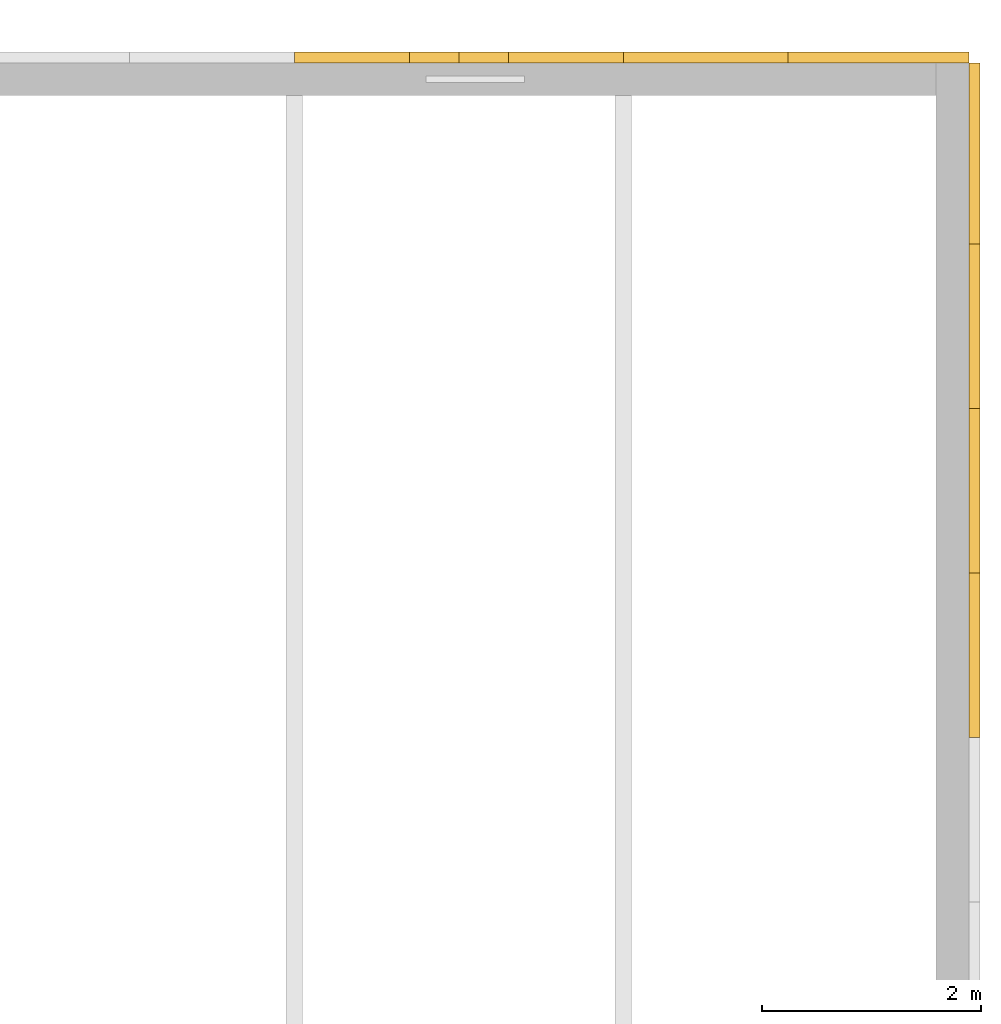
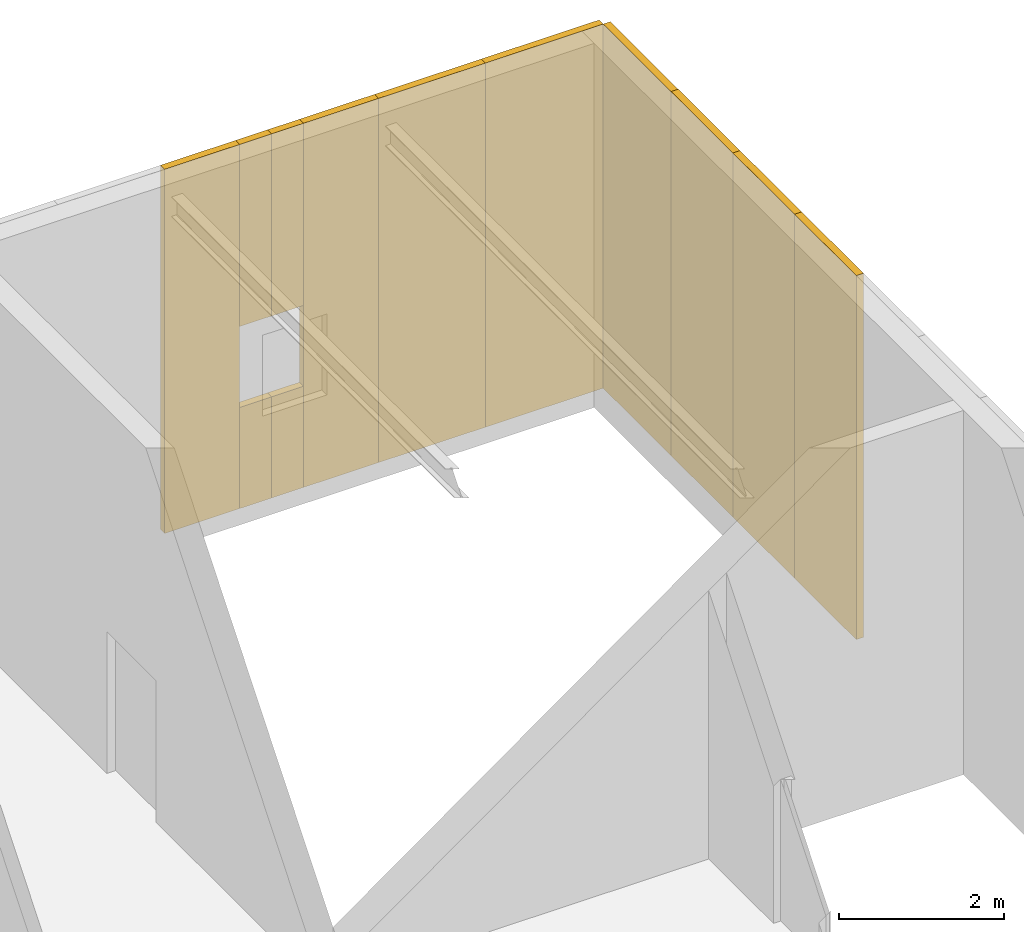
# One storey, part 46 of 46: 12 coverings.
"""IFC4 building model written with IfcOpenShell, lengths in metres."""

from ifc_helpers import new_model, si_unit, direction, frame, origin, origin_2d, place, context, subcontext, project, spatial, rectangle, extrude, material, layer, layer_set, type_object, element, save


model = new_model("IFC4")

# Units and contexts
model_context = context("Model", 3, precision=1e-05, world=origin(), true_north=direction((0.0, 1.0)))
body_context = subcontext(model_context, "Body", "Model", "MODEL_VIEW")
ifc_project = project(units=[si_unit("LENGTHUNIT", "METRE"), si_unit("AREAUNIT", "SQUARE_METRE"), si_unit("VOLUMEUNIT", "CUBIC_METRE"), si_unit("PLANEANGLEUNIT", "RADIAN"), si_unit("MASSUNIT", "GRAM", prefix="KILO")], contexts=[model_context])

# Site, building, storey
site_placement = place(None, origin())
site = spatial("IfcSite", under=ifc_project, at=site_placement, CompositionType="ELEMENT")
building_placement = place(site_placement, origin())
building = spatial("IfcBuilding", under=site, at=building_placement, Name="Azimuth Sports and Learning Centre", CompositionType="ELEMENT")
storey_placement = place(building_placement, frame((0.0, 0.0, 21.60009765625)))
storey = spatial("IfcBuildingStorey", under=building, at=storey_placement, Name="L04", CompositionType="ELEMENT", Elevation=21.60009765625)

# Coverings
ifc_material = material(Name="Cladding panel")
ifc_layer = layer(ifc_material, 0.10009765625)
ifc_layer_set = layer_set([ifc_layer], Name="Cladding panel")
covering_type = type_object("IfcCoveringType", Name="Cladding panel 100", PredefinedType="CLADDING", material=ifc_layer_set)
for number, where, z_axis, x_axis, name in (
    (1, (171.199951171875, 111.75, 0.0), (0.0, 0.0, 1.0), (0.0, 1.0, 0.0), "Cladding panel E-END E L04 15"),
    (2, (171.199951171875, 113.25, 0.0), (0.0, 0.0, 1.0), (0.0, 1.0, 0.0), "Cladding panel E-END E L04 16"),
    (3, (171.199951171875, 114.75, 0.0), (0.0, 0.0, 1.0), (0.0, 1.0, 0.0), "Cladding panel E-END E L04 17"),
):
    element("IfcCovering", number, at=place(storey_placement, frame(where, z_axis=z_axis, x_axis=x_axis)), inside=storey, type_object=covering_type, Name=name, PredefinedType="CLADDING", context=body_context, shape_type="SweptSolid", body=[
        extrude(rectangle(XDim=1.5, YDim=0.10009765625, at=origin_2d()), origin(), (0.0, 0.0, 1.0), 5.39990234375),
    ])
for number, where, z_axis, x_axis, name in (
    (4, (171.199951171875, 116.324951171875, 0.0), (0.0, 0.0, 1.0), (0.0, 1.0, 0.0), "Cladding panel E-END E L04 18"),
    (5, (170.324951171875, 117.199951171875, 0.0), (0.0, 0.0, 1.0), (-1.0, 0.0, 0.0), "Cladding panel N-END E L04 1"),
):
    element("IfcCovering", number, at=place(storey_placement, frame(where, z_axis=z_axis, x_axis=x_axis)), inside=storey, type_object=covering_type, Name=name, PredefinedType="CLADDING", context=body_context, shape_type="SweptSolid", body=[
        extrude(rectangle(XDim=1.64990234375, YDim=0.10009765625, at=origin_2d()), origin(), (0.0, 0.0, 1.0), 5.39990234375),
    ])
covering_1_placement = place(storey_placement, frame((168.75, 117.199951171875, 0.0), z_axis=(0.0, 0.0, 1.0), x_axis=(-1.0, 0.0, 0.0)))
element("IfcCovering", 6, at=covering_1_placement, inside=storey, type_object=covering_type, Name="Cladding panel N-END E L04 2", PredefinedType="CLADDING", context=body_context, shape_type="SweptSolid", body=[
    extrude(rectangle(XDim=1.5, YDim=0.10009765625, at=origin_2d()), origin(), (0.0, 0.0, 1.0), 5.39990234375),
])
covering_2_placement = place(storey_placement, frame((167.47509765625, 117.199951171875, 0.0), z_axis=(0.0, 0.0, 1.0), x_axis=(-1.0, 0.0, 0.0)))
element("IfcCovering", 7, at=covering_2_placement, inside=storey, type_object=covering_type, Name="Cladding panel N-END E L04 3", PredefinedType="CLADDING", context=body_context, shape_type="SweptSolid", body=[
    extrude(rectangle(XDim=1.050048828125, YDim=0.10009765625, at=origin_2d()), origin(), (0.0, 0.0, 1.0), 5.39990234375),
])
covering_3_placement = place(storey_placement, frame((166.72509765625, 117.199951171875, 0.0), z_axis=(0.0, 0.0, 1.0), x_axis=(-1.0, 0.0, 0.0)))
element("IfcCovering", 8, at=covering_3_placement, inside=storey, type_object=covering_type, Name="Cladding panel N-END E L04 4", PredefinedType="CLADDING", context=body_context, shape_type="SweptSolid", body=[
    extrude(rectangle(XDim=0.449951171875, YDim=0.10009765625, at=origin_2d()), origin(), (0.0, 0.0, 1.0), 1.5),
])
covering_4_placement = place(storey_placement, frame((166.72509765625, 117.199951171875, 2.69970703125), z_axis=(0.0, 0.0, 1.0), x_axis=(-1.0, 0.0, 0.0)))
element("IfcCovering", 9, at=covering_4_placement, inside=storey, type_object=covering_type, Name="Cladding panel N-END E L04 5", PredefinedType="CLADDING", context=body_context, shape_type="SweptSolid", body=[
    extrude(rectangle(XDim=0.449951171875, YDim=0.10009765625, at=origin_2d()), origin(), (0.0, 0.0, 1.0), 2.699951171875),
])
covering_5_placement = place(storey_placement, frame((165.52490234375, 117.199951171875, 0.0), z_axis=(0.0, 0.0, 1.0), x_axis=(-1.0, 0.0, 0.0)))
element("IfcCovering", 10, at=covering_5_placement, inside=storey, type_object=covering_type, Name="Cladding panel N-END E L04 6", PredefinedType="CLADDING", context=body_context, shape_type="SweptSolid", body=[
    extrude(rectangle(XDim=1.050048828125, YDim=0.10009765625, at=origin_2d()), origin(), (0.0, 0.0, 1.0), 5.39990234375),
])
covering_6_placement = place(storey_placement, frame((166.27490234375, 117.199951171875, 0.0), z_axis=(0.0, 0.0, 1.0), x_axis=(-1.0, 0.0, 0.0)))
element("IfcCovering", 11, at=covering_6_placement, inside=storey, type_object=covering_type, Name="Cladding panel N-END E L04 7", PredefinedType="CLADDING", context=body_context, shape_type="SweptSolid", body=[
    extrude(rectangle(XDim=0.449951171875, YDim=0.10009765625, at=origin_2d()), origin(), (0.0, 0.0, 1.0), 1.5),
])
covering_7_placement = place(storey_placement, frame((166.27490234375, 117.199951171875, 2.69970703125), z_axis=(0.0, 0.0, 1.0), x_axis=(-1.0, 0.0, 0.0)))
element("IfcCovering", 12, at=covering_7_placement, inside=storey, type_object=covering_type, Name="Cladding panel N-END E L04 8", PredefinedType="CLADDING", context=body_context, shape_type="SweptSolid", body=[
    extrude(rectangle(XDim=0.449951171875, YDim=0.10009765625, at=origin_2d()), origin(), (0.0, 0.0, 1.0), 2.699951171875),
])

save(model, "model.ifc")
